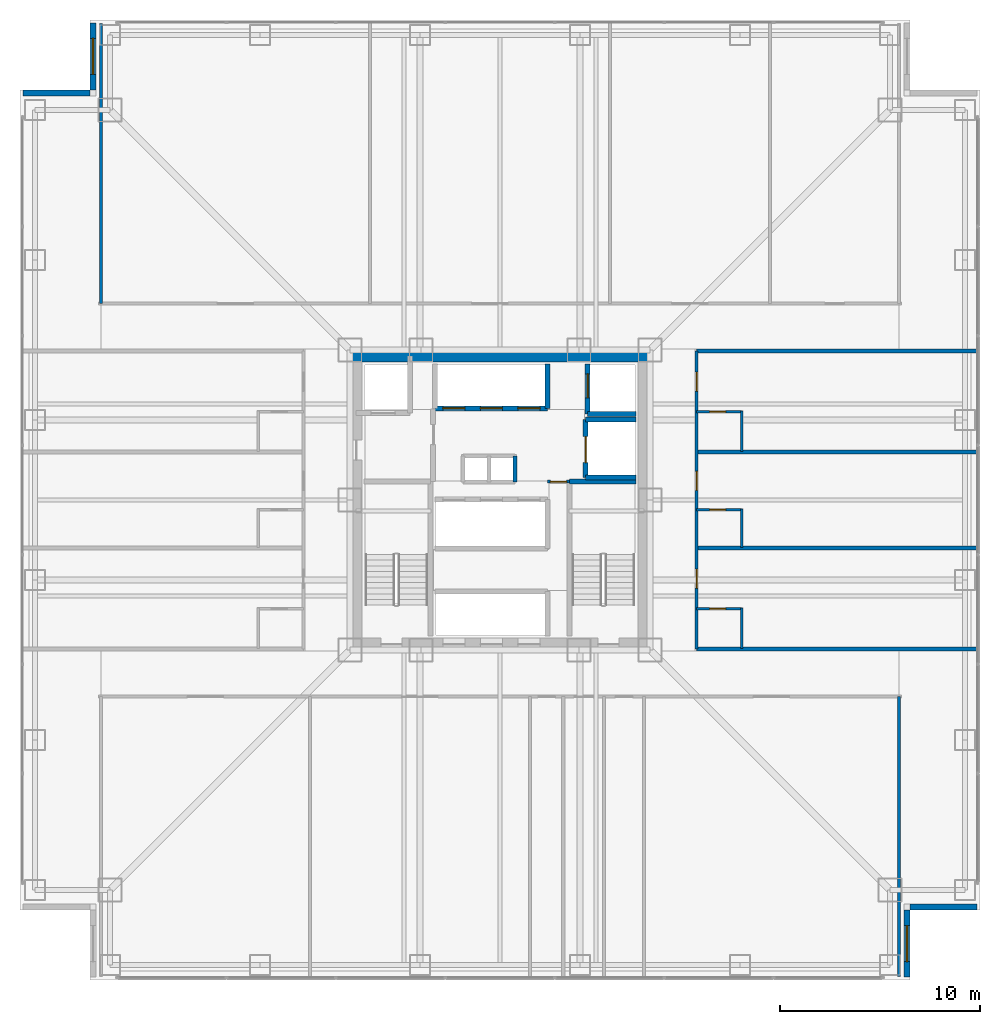
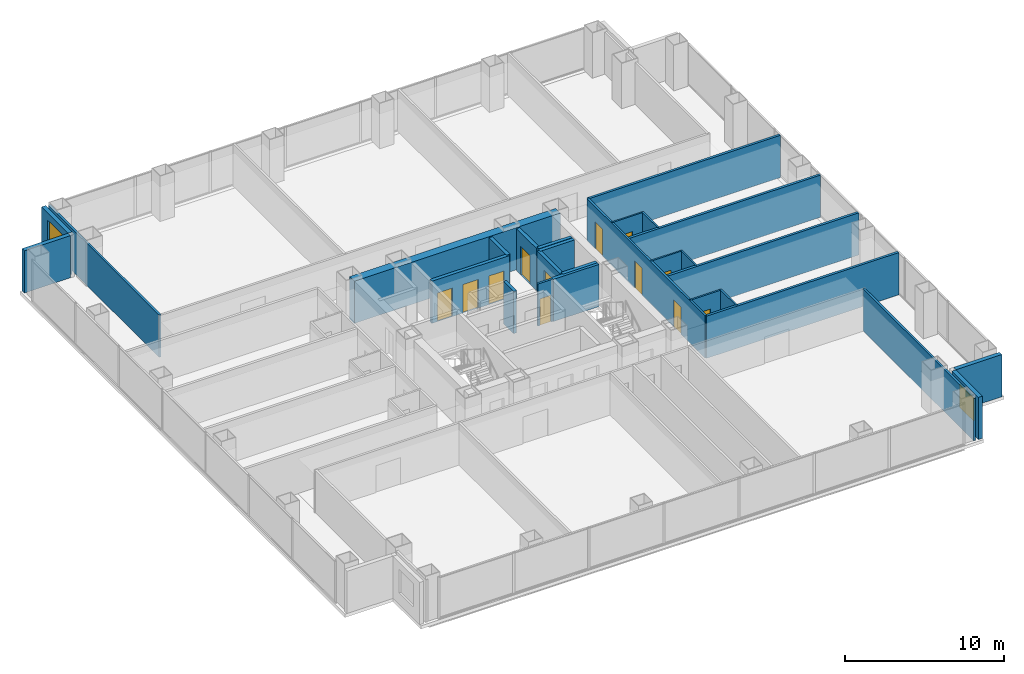
# One storey, part 12 of 16: 28 walls, 12 doors, 2 windows, 14 openings.
"""IFC4 building model written with IfcOpenShell, lengths in metres."""

from ifc_helpers import new_model, si_unit, direction, frame, frame_2d, origin, place, context, subcontext, project, spatial, rectangle, extrude, material, layer, layer_set, type_object, element, fill, save


model = new_model("IFC4")

# Units and contexts
model_context = context("Model", 3, precision=1e-05, world=origin(), true_north=direction((0.0, 1.0)))
body_context = subcontext(model_context, "Body", "Model", "MODEL_VIEW")
ifc_project = project(units=[si_unit("LENGTHUNIT", "METRE"), si_unit("AREAUNIT", "SQUARE_METRE"), si_unit("VOLUMEUNIT", "CUBIC_METRE"), si_unit("PLANEANGLEUNIT", "RADIAN"), si_unit("MASSUNIT", "GRAM", prefix="KILO")], contexts=[model_context])

# Site, building, storey
site_placement = place(None, origin())
site = spatial("IfcSite", under=ifc_project, at=site_placement, CompositionType="ELEMENT")
building_placement = place(site_placement, origin())
building = spatial("IfcBuilding", under=site, at=building_placement, Name="Trevonay Congress Spire", CompositionType="ELEMENT")
storey_placement = place(building_placement, frame((0.0, 0.0, 51.5)))
storey = spatial("IfcBuildingStorey", under=building, at=storey_placement, Name="L12", CompositionType="ELEMENT", Elevation=51.5)

# Wall, opening, door
ifc_material_1 = material(Name="Concrete C40/50", Category="concrete")
ifc_layer_1 = layer(ifc_material_1, 0.1201171875, Name="Concrete C40/50")
ifc_layer_set_1 = layer_set([ifc_layer_1], Name="Concrete C40/50")
wall_type_1 = type_object("IfcWallType", Name="WAL-BATH-120", PredefinedType="PLUMBINGWALL", material=ifc_layer_set_1)
wall_1_placement = place(storey_placement, frame((9.830078125, -5.44189453125, 0.0), z_axis=(0.0, 0.0, 1.0), x_axis=(1.0, 0.0, 0.0)))
wall_1 = element("IfcWall", 1, at=wall_1_placement, inside=storey, type_object=wall_type_1, Name="L12 interior wall WH-L12E-BS1", PredefinedType="PLUMBINGWALL", context=body_context, shape_type="SweptSolid", body=[
    extrude(rectangle(XDim=2.25, YDim=0.1201171875, at=frame_2d((1.125, 0.0))), origin(), (0.0, 0.0, 1.0), 3.25),
])
opening_1_placement = place(wall_1_placement, frame((0.64990234375, 0.0, 0.0)))
opening_1 = element("IfcOpeningElement", 2, at=opening_1_placement, cuts=wall_1, Name="Opening D11", PredefinedType="OPENING", context=body_context, shape_type="SweptSolid", body=[
    extrude(rectangle(XDim=0.800048828125, YDim=2.050048828125, at=frame_2d((0.39990234375, 1.02490234375))), frame((0.0, 0.070068359375, 0.0), z_axis=(0.0, -1.0, 0.0), x_axis=(1.0, 0.0, 0.0)), (0.0, 0.0, 1.0), 0.14013671875),
])
ifc_material_2 = material(Name="Pale Anodised Aluminium EN AW-6063-T6", Category="aluminium")
door_type_1 = type_object("IfcDoorType", Name="DOR-BATH-80", OperationType="NOTDEFINED", PredefinedType="DOOR", material=ifc_material_2)
door_1_placement = place(opening_1_placement, origin())
door_1 = element("IfcDoor", 3, at=door_1_placement, inside=storey, type_object=door_type_1, Name="L12 En-suite Bathroom Door", OperationType="SINGLE_SWING_RIGHT", OverallHeight=2.050048828125, OverallWidth=0.800048828125, PredefinedType="DOOR", context=body_context, shape_type="SweptSolid", body=[
    extrude(rectangle(XDim=0.800048828125, YDim=2.050048828125, at=frame_2d((0.39990234375, 1.02490234375))), frame((0.0, 0.02490234375, 0.0), z_axis=(0.0, -1.0, 0.0), x_axis=(1.0, 0.0, 0.0)), (0.0, 0.0, 1.0), 0.050048828125),
])
fill(opening_1, door_1)

# Wall
wall_2_placement = place(storey_placement, frame((12.080078125, -7.419921875, 0.0), z_axis=(0.0, 0.0, 1.0), x_axis=(0.0, 1.0, 0.0)))
element("IfcWall", 4, at=wall_2_placement, inside=storey, type_object=wall_type_1, Name="L12 interior wall WH-L12E-BF1", PredefinedType="PLUMBINGWALL", context=body_context, shape_type="SweptSolid", body=[
    extrude(rectangle(XDim=2.0078125, YDim=0.1201171875, at=frame_2d((1.00390625, 0.0))), origin(), (0.0, 0.0, 1.0), 3.25),
])

# Wall, opening, door
wall_3_placement = place(storey_placement, frame((9.830078125, -0.487060546875, 0.0), z_axis=(0.0, 0.0, 1.0), x_axis=(1.0, 0.0, 0.0)))
wall_3 = element("IfcWall", 5, at=wall_3_placement, inside=storey, type_object=wall_type_1, Name="L12 interior wall WH-L12E-BS2", PredefinedType="PLUMBINGWALL", context=body_context, shape_type="SweptSolid", body=[
    extrude(rectangle(XDim=2.25, YDim=0.1201171875, at=frame_2d((1.125, 0.0))), origin(), (0.0, 0.0, 1.0), 3.25),
])
opening_2_placement = place(wall_3_placement, frame((0.64990234375, 0.0, 0.0)))
opening_2 = element("IfcOpeningElement", 6, at=opening_2_placement, cuts=wall_3, Name="Opening D11", PredefinedType="OPENING", context=body_context, shape_type="SweptSolid", body=[
    extrude(rectangle(XDim=0.800048828125, YDim=2.050048828125, at=frame_2d((0.39990234375, 1.02490234375))), frame((0.0, 0.070068359375, 0.0), z_axis=(0.0, -1.0, 0.0), x_axis=(1.0, 0.0, 0.0)), (0.0, 0.0, 1.0), 0.14013671875),
])
door_2_placement = place(opening_2_placement, origin())
door_2 = element("IfcDoor", 7, at=door_2_placement, inside=storey, type_object=door_type_1, Name="L12 En-suite Bathroom Door", OperationType="SINGLE_SWING_LEFT", OverallHeight=2.050048828125, OverallWidth=0.800048828125, PredefinedType="DOOR", context=body_context, shape_type="SweptSolid", body=[
    extrude(rectangle(XDim=0.800048828125, YDim=2.050048828125, at=frame_2d((0.39990234375, 1.02490234375))), frame((0.0, 0.02490234375, 0.0), z_axis=(0.0, -1.0, 0.0), x_axis=(1.0, 0.0, 0.0)), (0.0, 0.0, 1.0), 0.050048828125),
])
fill(opening_2, door_2)

# Wall
wall_4_placement = place(storey_placement, frame((12.080078125, -2.3701171875, 0.0), z_axis=(0.0, 0.0, 1.0), x_axis=(0.0, 1.0, 0.0)))
element("IfcWall", 8, at=wall_4_placement, inside=storey, type_object=wall_type_1, Name="L12 interior wall WH-L12E-BF2", PredefinedType="PLUMBINGWALL", context=body_context, shape_type="SweptSolid", body=[
    extrude(rectangle(XDim=1.9130859375, YDim=0.1201171875, at=frame_2d((0.95654296875, 0.0))), origin(), (0.0, 0.0, 1.0), 3.25),
])

# Wall, opening, door
wall_5_placement = place(storey_placement, frame((9.830078125, 4.407958984375, 0.0), z_axis=(0.0, 0.0, 1.0), x_axis=(1.0, 0.0, 0.0)))
wall_5 = element("IfcWall", 9, at=wall_5_placement, inside=storey, type_object=wall_type_1, Name="L12 interior wall WH-L12E-BS3", PredefinedType="PLUMBINGWALL", context=body_context, shape_type="SweptSolid", body=[
    extrude(rectangle(XDim=2.25, YDim=0.1201171875, at=frame_2d((1.125, 0.0))), origin(), (0.0, 0.0, 1.0), 3.25),
])
opening_3_placement = place(wall_5_placement, frame((0.64990234375, 0.0, 0.0)))
opening_3 = element("IfcOpeningElement", 10, at=opening_3_placement, cuts=wall_5, Name="Opening D11", PredefinedType="OPENING", context=body_context, shape_type="SweptSolid", body=[
    extrude(rectangle(XDim=0.800048828125, YDim=2.050048828125, at=frame_2d((0.39990234375, 1.02490234375))), frame((0.0, 0.070068359375, 0.0), z_axis=(0.0, -1.0, 0.0), x_axis=(1.0, 0.0, 0.0)), (0.0, 0.0, 1.0), 0.14013671875),
])
door_3_placement = place(opening_3_placement, origin())
door_3 = element("IfcDoor", 11, at=door_3_placement, inside=storey, type_object=door_type_1, Name="L12 En-suite Bathroom Door", OperationType="SINGLE_SWING_RIGHT", OverallHeight=2.050048828125, OverallWidth=0.800048828125, PredefinedType="DOOR", context=body_context, shape_type="SweptSolid", body=[
    extrude(rectangle(XDim=0.800048828125, YDim=2.050048828125, at=frame_2d((0.39990234375, 1.02490234375))), frame((0.0, 0.02490234375, 0.0), z_axis=(0.0, -1.0, 0.0), x_axis=(1.0, 0.0, 0.0)), (0.0, 0.0, 1.0), 0.050048828125),
])
fill(opening_3, door_3)

# Walls
wall_6_placement = place(storey_placement, frame((12.080078125, 2.429931640625, 0.0), z_axis=(0.0, 0.0, 1.0), x_axis=(0.0, 1.0, 0.0)))
element("IfcWall", 12, at=wall_6_placement, inside=storey, type_object=wall_type_1, Name="L12 interior wall WH-L12E-BF3", PredefinedType="PLUMBINGWALL", context=body_context, shape_type="SweptSolid", body=[
    extrude(rectangle(XDim=2.008056640625, YDim=0.1201171875, at=frame_2d((1.00390625, 0.0))), origin(), (0.0, 0.0, 1.0), 3.25),
])
ifc_material_3 = material(Name="Concrete C60/75", Category="concrete")
ifc_layer_2 = layer(ifc_material_3, 0.60009765625, Name="Concrete C60/75")
ifc_layer_set_2 = layer_set([ifc_layer_2], Name="Concrete C60/75")
wall_type_2 = type_object("IfcWallType", Name="WAL-CORE-600", PredefinedType="SHEAR", material=ifc_layer_set_2)
wall_7_placement = place(storey_placement, frame((-7.5, 7.199951171875, 0.0), z_axis=(0.0, 0.0, 1.0), x_axis=(1.0, 0.0, 0.0)))
element("IfcWall", 13, at=wall_7_placement, inside=storey, type_object=wall_type_2, Name="L12 North structural core shear wall", PredefinedType="SHEAR", context=body_context, shape_type="SweptSolid", body=[
    extrude(rectangle(XDim=15.0, YDim=0.60009765625, at=frame_2d((7.5, 0.0))), origin(), (0.0, 0.0, 1.0), 3.25),
])

# Wall, openings, doors
ifc_layer_3 = layer(ifc_material_1, 0.14990234375, Name="Concrete C40/50")
ifc_layer_set_3 = layer_set([ifc_layer_3], Name="Concrete C40/50")
wall_type_3 = type_object("IfcWallType", Name="WAL-CORR-150", PredefinedType="PARTITIONING", material=ifc_layer_set_3)
wall_8_placement = place(storey_placement, frame((9.830078125, -7.449951171875, 0.0), z_axis=(0.0, 0.0, 1.0), x_axis=(0.0, 1.0, 0.0)))
wall_8 = element("IfcWall", 14, at=wall_8_placement, inside=storey, type_object=wall_type_3, Name="L12 interior wall WH-L12E-COR", PredefinedType="PARTITIONING", context=body_context, shape_type="SweptSolid", body=[
    extrude(rectangle(XDim=14.89990234375, YDim=0.14990234375, at=frame_2d((7.449951171875, 0.0))), origin(), (0.0, 0.0, 1.0), 3.25),
])
opening_4_placement = place(wall_8_placement, frame((3.049072265625, 0.0, 0.0)))
opening_4 = element("IfcOpeningElement", 15, at=opening_4_placement, cuts=wall_8, Name="Opening D08", PredefinedType="OPENING", context=body_context, shape_type="SweptSolid", body=[
    extrude(rectangle(XDim=0.949951171875, YDim=2.080078125, at=frame_2d((0.47509765625, 1.0400390625))), frame((0.0, 0.0849609375, 0.0), z_axis=(0.0, -1.0, 0.0), x_axis=(1.0, 0.0, 0.0)), (0.0, 0.0, 1.0), 0.169921875),
])
opening_5_placement = place(wall_8_placement, frame((7.926513671875, 0.0, 0.0)))
opening_5 = element("IfcOpeningElement", 16, at=opening_5_placement, cuts=wall_8, Name="Opening D08", PredefinedType="OPENING", context=body_context, shape_type="SweptSolid", body=[
    extrude(rectangle(XDim=0.949951171875, YDim=2.080078125, at=frame_2d((0.47509765625, 1.0400390625))), frame((0.0, 0.0849609375, 0.0), z_axis=(0.0, -1.0, 0.0), x_axis=(1.0, 0.0, 0.0)), (0.0, 0.0, 1.0), 0.169921875),
])
opening_6_placement = place(wall_8_placement, frame((12.89892578125, 0.0, 0.0)))
opening_6 = element("IfcOpeningElement", 17, at=opening_6_placement, cuts=wall_8, Name="Opening D08", PredefinedType="OPENING", context=body_context, shape_type="SweptSolid", body=[
    extrude(rectangle(XDim=0.949951171875, YDim=2.080078125, at=frame_2d((0.47509765625, 1.0400390625))), frame((0.0, 0.0849609375, 0.0), z_axis=(0.0, -1.0, 0.0), x_axis=(1.0, 0.0, 0.0)), (0.0, 0.0, 1.0), 0.169921875),
])
door_type_2 = type_object("IfcDoorType", Name="DOR-SUITE-95", OperationType="NOTDEFINED", PredefinedType="DOOR", material=ifc_material_2)
door_4_placement = place(opening_4_placement, origin())
door_4 = element("IfcDoor", 18, at=door_4_placement, inside=storey, type_object=door_type_2, Name="L12 Corner Hotel Suite Entrance Door", OperationType="SINGLE_SWING_LEFT", OverallHeight=2.080078125, OverallWidth=0.949951171875, PredefinedType="DOOR", context=body_context, shape_type="SweptSolid", body=[
    extrude(rectangle(XDim=0.949951171875, YDim=2.080078125, at=frame_2d((0.47509765625, 1.0400390625))), frame((0.0, 0.02490234375, 0.0), z_axis=(0.0, -1.0, 0.0), x_axis=(1.0, 0.0, 0.0)), (0.0, 0.0, 1.0), 0.050048828125),
])
fill(opening_4, door_4)
door_5_placement = place(opening_5_placement, origin())
door_5 = element("IfcDoor", 19, at=door_5_placement, inside=storey, type_object=door_type_2, Name="L12 Corner Hotel Suite Entrance Door", OperationType="SINGLE_SWING_RIGHT", OverallHeight=2.080078125, OverallWidth=0.949951171875, PredefinedType="DOOR", context=body_context, shape_type="SweptSolid", body=[
    extrude(rectangle(XDim=0.949951171875, YDim=2.080078125, at=frame_2d((0.47509765625, 1.0400390625))), frame((0.0, 0.02490234375, 0.0), z_axis=(0.0, -1.0, 0.0), x_axis=(1.0, 0.0, 0.0)), (0.0, 0.0, 1.0), 0.050048828125),
])
fill(opening_5, door_5)
door_6_placement = place(opening_6_placement, origin())
door_6 = element("IfcDoor", 20, at=door_6_placement, inside=storey, type_object=door_type_2, Name="L12 Corner Hotel Suite Entrance Door", OperationType="SINGLE_SWING_LEFT", OverallHeight=2.080078125, OverallWidth=0.949951171875, PredefinedType="DOOR", context=body_context, shape_type="SweptSolid", body=[
    extrude(rectangle(XDim=0.949951171875, YDim=2.080078125, at=frame_2d((0.47509765625, 1.0400390625))), frame((0.0, 0.02490234375, 0.0), z_axis=(0.0, -1.0, 0.0), x_axis=(1.0, 0.0, 0.0)), (0.0, 0.0, 1.0), 0.050048828125),
])
fill(opening_6, door_6)

# Wall, opening, window
ifc_material_4 = material(Name="Precast concrete C40/50", Category="concrete")
ifc_layer_4 = layer(ifc_material_4, 0.300048828125, Name="Precast concrete C40/50")
ifc_layer_set_4 = layer_set([ifc_layer_4], Name="Precast concrete C40/50")
wall_type_4 = type_object("IfcWallType", Name="WAL-EXT-PRECAST-300", PredefinedType="SOLIDWALL", material=ifc_layer_set_4)
wall_9_placement = place(storey_placement, frame((20.35009765625, -23.85009765625, 0.0), z_axis=(0.0, 0.0, 1.0), x_axis=(0.0, 1.0, 0.0)))
wall_9 = element("IfcWall", 21, at=wall_9_placement, inside=storey, type_object=wall_type_4, Name="L12 SE re-entrant notch exterior wall 1", PredefinedType="SOLIDWALL", context=body_context, shape_type="SweptSolid", body=[
    extrude(rectangle(XDim=3.35009765625, YDim=0.300048828125, at=frame_2d((1.675048828125, 0.0))), origin(), (0.0, 0.0, 1.0), 3.25),
])
opening_7_placement = place(wall_9_placement, frame((0.77490234375, 0.0, 0.89990234375)))
opening_7 = element("IfcOpeningElement", 22, at=opening_7_placement, cuts=wall_9, Name="Opening WN01", PredefinedType="OPENING", context=body_context, shape_type="SweptSolid", body=[
    extrude(rectangle(XDim=1.800048828125, YDim=1.800048828125, at=frame_2d((0.89990234375, 0.89990234375))), frame((0.0, 0.16015625, 0.0), z_axis=(0.0, -1.0, 0.0), x_axis=(1.0, 0.0, 0.0)), (0.0, 0.0, 1.0), 0.320068359375),
])
ifc_material_5 = material(Name="Insulated Low-E Vision Glass IGU", Category="glass")
window_type = type_object("IfcWindowType", Name="WIN-HOTEL-180X180", PartitioningType="SINGLE_PANEL", PredefinedType="WINDOW", material=ifc_material_5)
window_1_placement = place(opening_7_placement, origin())
window_1 = element("IfcWindow", 23, at=window_1_placement, inside=storey, type_object=window_type, Name="L12 SE corner notch window", OverallHeight=1.800048828125, OverallWidth=1.800048828125, PartitioningType="SINGLE_PANEL", PredefinedType="WINDOW", context=body_context, shape_type="SweptSolid", body=[
    extrude(rectangle(XDim=1.800048828125, YDim=1.800048828125, at=frame_2d((0.89990234375, 0.89990234375))), frame((0.0, 0.030029296875, 0.0), z_axis=(0.0, -1.0, 0.0), x_axis=(1.0, 0.0, 0.0)), (0.0, 0.0, 1.0), 0.06005859375),
])
fill(opening_7, window_1)

# Wall
wall_10_placement = place(storey_placement, frame((23.85009765625, -20.35009765625, 0.0), z_axis=(0.0, 0.0, 1.0), x_axis=(-1.0, 0.0, 0.0)))
element("IfcWall", 24, at=wall_10_placement, inside=storey, type_object=wall_type_4, Name="L12 SE re-entrant notch exterior wall 2", PredefinedType="SOLIDWALL", context=body_context, shape_type="SweptSolid", body=[
    extrude(rectangle(XDim=3.35009765625, YDim=0.300048828125, at=frame_2d((1.675048828125, 0.0))), origin(), (0.0, 0.0, 1.0), 3.25),
])

# Wall, opening, window
wall_11_placement = place(storey_placement, frame((-20.35009765625, 23.85009765625, 0.0), z_axis=(0.0, 0.0, 1.0), x_axis=(0.0, -1.0, 0.0)))
wall_11 = element("IfcWall", 25, at=wall_11_placement, inside=storey, type_object=wall_type_4, Name="L12 NW re-entrant notch exterior wall 1", PredefinedType="SOLIDWALL", context=body_context, shape_type="SweptSolid", body=[
    extrude(rectangle(XDim=3.35009765625, YDim=0.300048828125, at=frame_2d((1.675048828125, 0.0))), origin(), (0.0, 0.0, 1.0), 3.25),
])
opening_8_placement = place(wall_11_placement, frame((0.77490234375, 0.0, 0.89990234375)))
opening_8 = element("IfcOpeningElement", 26, at=opening_8_placement, cuts=wall_11, Name="Opening WN01", PredefinedType="OPENING", context=body_context, shape_type="SweptSolid", body=[
    extrude(rectangle(XDim=1.800048828125, YDim=1.800048828125, at=frame_2d((0.89990234375, 0.89990234375))), frame((0.0, 0.16015625, 0.0), z_axis=(0.0, -1.0, 0.0), x_axis=(1.0, 0.0, 0.0)), (0.0, 0.0, 1.0), 0.320068359375),
])
window_2_placement = place(opening_8_placement, origin())
window_2 = element("IfcWindow", 27, at=window_2_placement, inside=storey, type_object=window_type, Name="L12 NW corner notch window", OverallHeight=1.800048828125, OverallWidth=1.800048828125, PartitioningType="SINGLE_PANEL", PredefinedType="WINDOW", context=body_context, shape_type="SweptSolid", body=[
    extrude(rectangle(XDim=1.800048828125, YDim=1.800048828125, at=frame_2d((0.89990234375, 0.89990234375))), frame((0.0, 0.030029296875, 0.0), z_axis=(0.0, -1.0, 0.0), x_axis=(1.0, 0.0, 0.0)), (0.0, 0.0, 1.0), 0.06005859375),
])
fill(opening_8, window_2)

# Walls
wall_12_placement = place(storey_placement, frame((-23.85009765625, 20.35009765625, 0.0), z_axis=(0.0, 0.0, 1.0), x_axis=(1.0, 0.0, 0.0)))
element("IfcWall", 28, at=wall_12_placement, inside=storey, type_object=wall_type_4, Name="L12 NW re-entrant notch exterior wall 2", PredefinedType="SOLIDWALL", context=body_context, shape_type="SweptSolid", body=[
    extrude(rectangle(XDim=3.35009765625, YDim=0.300048828125, at=frame_2d((1.675048828125, 0.0))), origin(), (0.0, 0.0, 1.0), 3.25),
])
ifc_layer_5 = layer(ifc_material_1, 0.179931640625, Name="Concrete C40/50")
ifc_layer_set_5 = layer_set([ifc_layer_5], Name="Concrete C40/50")
wall_type_5 = type_object("IfcWallType", Name="WAL-HOTEL-180", PredefinedType="PARTITIONING", material=ifc_layer_set_5)
for number, where, z_axis, x_axis, name in (
    (29, (9.830078125, -7.449951171875, 0.0), (0.0, 0.0, 1.0), (1.0, 0.0, 0.0), "L12 interior wall WH-L12E-DIV1"),
    (30, (9.830078125, -2.39990234375, 0.0), (0.0, 0.0, 1.0), (1.0, 0.0, 0.0), "L12 interior wall WH-L12E-DIV2"),
    (31, (9.830078125, 2.39990234375, 0.0), (0.0, 0.0, 1.0), (1.0, 0.0, 0.0), "L12 interior wall WH-L12E-DIV3"),
    (32, (9.830078125, 7.449951171875, 0.0), (0.0, 0.0, 1.0), (1.0, 0.0, 0.0), "L12 interior wall WH-L12E-DIV4"),
):
    element("IfcWall", number, at=place(storey_placement, frame(where, z_axis=z_axis, x_axis=x_axis)), inside=storey, type_object=wall_type_5, Name=name, PredefinedType="PARTITIONING", context=body_context, shape_type="SweptSolid", body=[
        extrude(rectangle(XDim=13.989990234375, YDim=0.179931640625, at=frame_2d((6.9951171875, 0.0))), origin(), (0.0, 0.0, 1.0), 3.25),
    ])

# Wall, opening, door
ifc_layer_6 = layer(ifc_material_1, 0.14990234375, Name="Concrete C40/50")
ifc_layer_set_6 = layer_set([ifc_layer_6], Name="Concrete C40/50")
wall_type_6 = type_object("IfcWallType", Name="WAL-PART-150", PredefinedType="PARTITIONING", material=ifc_layer_set_6)
wall_13_placement = place(storey_placement, frame((2.3798828125, 0.919921875, 0.0), z_axis=(0.0, 0.0, 1.0), x_axis=(1.0, 0.0, 0.0)))
wall_13 = element("IfcWall", 33, at=wall_13_placement, inside=storey, type_object=wall_type_6, Name="L12 interior wall CW-CSRV-N-L12", PredefinedType="PARTITIONING", context=body_context, shape_type="SweptSolid", body=[
    extrude(rectangle(XDim=1.090087890625, YDim=0.14990234375, at=frame_2d((0.544921875, 0.0))), origin(), (0.0, 0.0, 1.0), 3.25),
])
opening_9_placement = place(wall_13_placement, frame((0.135009765625, 0.0, 0.0)))
opening_9 = element("IfcOpeningElement", 34, at=opening_9_placement, cuts=wall_13, Name="Opening D13", PredefinedType="OPENING", context=body_context, shape_type="SweptSolid", body=[
    extrude(rectangle(XDim=0.820068359375, YDim=2.050048828125, at=frame_2d((0.41015625, 1.02490234375))), frame((0.0, 0.0849609375, 0.0), z_axis=(0.0, -1.0, 0.0), x_axis=(1.0, 0.0, 0.0)), (0.0, 0.0, 1.0), 0.169921875),
])
ifc_material_6 = material(Name="Steel ASTM A572 Grade 50", Category="steel")
door_type_3 = type_object("IfcDoorType", Name="DOR-UTIL-80", OperationType="NOTDEFINED", PredefinedType="DOOR", material=ifc_material_6)
door_7_placement = place(opening_9_placement, origin())
door_7 = element("IfcDoor", 35, at=door_7_placement, inside=storey, type_object=door_type_3, Name="L12 Core Service Pocket Door", OperationType="SINGLE_SWING_LEFT", OverallHeight=2.050048828125, OverallWidth=0.820068359375, PredefinedType="DOOR", context=body_context, shape_type="SweptSolid", body=[
    extrude(rectangle(XDim=0.820068359375, YDim=2.050048828125, at=frame_2d((0.41015625, 1.02490234375))), frame((0.0, 0.02490234375, 0.0), z_axis=(0.0, -1.0, 0.0), x_axis=(1.0, 0.0, 0.0)), (0.0, 0.0, 1.0), 0.050048828125),
])
fill(opening_9, door_7)

# Walls
for number, where, z_axis, x_axis, name in (
    (36, (19.949951171875, -23.820068359375, 0.0), (0.0, 0.0, 1.0), (0.0, 1.0, 0.0), "L12 interior wall WP-L12S-DIV6"),
    (37, (-19.949951171875, 9.830078125, 0.0), (0.0, 0.0, 1.0), (0.0, 1.0, 0.0), "L12 interior wall WP-L12N-DIV1"),
):
    element("IfcWall", number, at=place(storey_placement, frame(where, z_axis=z_axis, x_axis=x_axis)), inside=storey, type_object=wall_type_6, Name=name, PredefinedType="PARTITIONING", context=body_context, shape_type="SweptSolid", body=[
        extrude(rectangle(XDim=13.989990234375, YDim=0.14990234375, at=frame_2d((6.9951171875, 0.0))), origin(), (0.0, 0.0, 1.0), 3.25),
    ])
ifc_layer_7 = layer(ifc_material_1, 0.219970703125, Name="Concrete C40/50")
ifc_layer_set_7 = layer_set([ifc_layer_7], Name="Concrete C40/50")
wall_type_7 = type_object("IfcWallType", Name="WAL-SHAFT-220", PredefinedType="PARTITIONING", material=ifc_layer_set_7)
wall_14_placement = place(storey_placement, frame((0.75, 0.89990234375, 0.0), z_axis=(0.0, 0.0, 1.0), x_axis=(0.0, 1.0, 0.0)))
element("IfcWall", 38, at=wall_14_placement, inside=storey, type_object=wall_type_7, Name="L12 interior shaft wall WSH-L12-RSR-E", PredefinedType="PARTITIONING", context=body_context, shape_type="SweptSolid", body=[
    extrude(rectangle(XDim=1.300048828125, YDim=0.219970703125, at=frame_2d((0.64990234375, 0.0))), origin(), (0.0, 0.0, 1.0), 3.25),
])

# Wall, openings, doors
ifc_layer_8 = layer(ifc_material_1, 0.25, Name="Concrete C40/50")
ifc_layer_set_8 = layer_set([ifc_layer_8], Name="Concrete C40/50")
wall_type_8 = type_object("IfcWallType", Name="WAL-SHAFT-250", PredefinedType="SHEAR", material=ifc_layer_set_8)
wall_15_placement = place(storey_placement, frame((-3.260009765625, 4.580078125, 0.0), z_axis=(0.0, 0.0, 1.0), x_axis=(1.0, 0.0, 0.0)))
wall_15 = element("IfcWall", 39, at=wall_15_placement, inside=storey, type_object=wall_type_8, Name="L12 interior shaft wall WSH-L12-B3-S", PredefinedType="SHEAR", context=body_context, shape_type="SweptSolid", body=[
    extrude(rectangle(XDim=5.639892578125, YDim=0.25, at=frame_2d((2.81982421875, 0.0))), origin(), (0.0, 0.0, 1.0), 3.25),
])
opening_10_placement = place(wall_15_placement, frame((0.39990234375, 0.0, 0.0)))
opening_10 = element("IfcOpeningElement", 40, at=opening_10_placement, cuts=wall_15, Name="Opening LD03", PredefinedType="OPENING", context=body_context, shape_type="SweptSolid", body=[
    extrude(rectangle(XDim=1.10009765625, YDim=2.199951171875, at=frame_2d((0.550048828125, 1.10009765625))), frame((0.0, 0.135009765625, 0.0), z_axis=(0.0, -1.0, 0.0), x_axis=(1.0, 0.0, 0.0)), (0.0, 0.0, 1.0), 0.27001953125),
])
opening_11_placement = place(wall_15_placement, frame((2.280029296875, 0.0, 0.0)))
opening_11 = element("IfcOpeningElement", 41, at=opening_11_placement, cuts=wall_15, Name="Opening LD03", PredefinedType="OPENING", context=body_context, shape_type="SweptSolid", body=[
    extrude(rectangle(XDim=1.10009765625, YDim=2.199951171875, at=frame_2d((0.550048828125, 1.10009765625))), frame((0.0, 0.135009765625, 0.0), z_axis=(0.0, -1.0, 0.0), x_axis=(1.0, 0.0, 0.0)), (0.0, 0.0, 1.0), 0.27001953125),
])
opening_12_placement = place(wall_15_placement, frame((4.159912109375, 0.0, 0.0)))
opening_12 = element("IfcOpeningElement", 42, at=opening_12_placement, cuts=wall_15, Name="Opening LD03", PredefinedType="OPENING", context=body_context, shape_type="SweptSolid", body=[
    extrude(rectangle(XDim=1.10009765625, YDim=2.199951171875, at=frame_2d((0.550048828125, 1.10009765625))), frame((0.0, 0.135009765625, 0.0), z_axis=(0.0, -1.0, 0.0), x_axis=(1.0, 0.0, 0.0)), (0.0, 0.0, 1.0), 0.27001953125),
])
door_type_4 = type_object("IfcDoorType", Name="DOR-LIFT-LD03", OperationType="DOUBLE_DOOR_SLIDING", PredefinedType="DOOR", material=ifc_material_2)
door_8_placement = place(opening_10_placement, origin())
door_8 = element("IfcDoor", 43, at=door_8_placement, inside=storey, type_object=door_type_4, Name="L12 Passenger lift PL-07 landing door", OperationType="DOUBLE_DOOR_SLIDING", OverallHeight=2.199951171875, OverallWidth=1.10009765625, PredefinedType="DOOR", context=body_context, shape_type="SweptSolid", body=[
    extrude(rectangle(XDim=1.10009765625, YDim=2.199951171875, at=frame_2d((0.550048828125, 1.10009765625))), frame((0.0, 0.02490234375, 0.0), z_axis=(0.0, -1.0, 0.0), x_axis=(1.0, 0.0, 0.0)), (0.0, 0.0, 1.0), 0.050048828125),
])
fill(opening_10, door_8)
door_9_placement = place(opening_11_placement, origin())
door_9 = element("IfcDoor", 44, at=door_9_placement, inside=storey, type_object=door_type_4, Name="L12 Passenger lift PL-08 landing door", OperationType="DOUBLE_DOOR_SLIDING", OverallHeight=2.199951171875, OverallWidth=1.10009765625, PredefinedType="DOOR", context=body_context, shape_type="SweptSolid", body=[
    extrude(rectangle(XDim=1.10009765625, YDim=2.199951171875, at=frame_2d((0.550048828125, 1.10009765625))), frame((0.0, 0.02490234375, 0.0), z_axis=(0.0, -1.0, 0.0), x_axis=(1.0, 0.0, 0.0)), (0.0, 0.0, 1.0), 0.050048828125),
])
fill(opening_11, door_9)
door_10_placement = place(opening_12_placement, origin())
door_10 = element("IfcDoor", 45, at=door_10_placement, inside=storey, type_object=door_type_4, Name="L12 Passenger lift PL-09 landing door", OperationType="DOUBLE_DOOR_SLIDING", OverallHeight=2.199951171875, OverallWidth=1.10009765625, PredefinedType="DOOR", context=body_context, shape_type="SweptSolid", body=[
    extrude(rectangle(XDim=1.10009765625, YDim=2.199951171875, at=frame_2d((0.550048828125, 1.10009765625))), frame((0.0, 0.02490234375, 0.0), z_axis=(0.0, -1.0, 0.0), x_axis=(1.0, 0.0, 0.0)), (0.0, 0.0, 1.0), 0.050048828125),
])
fill(opening_12, door_10)

# Walls
wall_16_placement = place(storey_placement, frame((2.3798828125, 4.580078125, 0.0), z_axis=(0.0, 0.0, 1.0), x_axis=(0.0, 1.0, 0.0)))
element("IfcWall", 46, at=wall_16_placement, inside=storey, type_object=wall_type_8, Name="L12 interior shaft wall WSH-L12-B3-E", PredefinedType="SHEAR", context=body_context, shape_type="SweptSolid", body=[
    extrude(rectangle(XDim=2.219970703125, YDim=0.25, at=frame_2d((1.10986328125, 0.0))), origin(), (0.0, 0.0, 1.0), 3.25),
])
wall_17_placement = place(storey_placement, frame((4.3798828125, 4.300048828125, 0.0), z_axis=(0.0, 0.0, 1.0), x_axis=(1.0, 0.0, 0.0)))
element("IfcWall", 47, at=wall_17_placement, inside=storey, type_object=wall_type_8, Name="L12 interior shaft wall WSH-L12-FF2-S", PredefinedType="SHEAR", context=body_context, shape_type="SweptSolid", body=[
    extrude(rectangle(XDim=2.420166015625, YDim=0.25, at=frame_2d((1.2099609375, 0.0))), origin(), (0.0, 0.0, 1.0), 3.25),
])

# Wall, opening, door
wall_18_placement = place(storey_placement, frame((4.3798828125, 4.300048828125, 0.0), z_axis=(0.0, 0.0, 1.0), x_axis=(0.0, 1.0, 0.0)))
wall_18 = element("IfcWall", 48, at=wall_18_placement, inside=storey, type_object=wall_type_8, Name="L12 interior shaft wall WSH-L12-FF2-W", PredefinedType="SHEAR", context=body_context, shape_type="SweptSolid", body=[
    extrude(rectangle(XDim=2.5, YDim=0.25, at=frame_2d((1.25, 0.0))), origin(), (0.0, 0.0, 1.0), 3.25),
])
opening_13_placement = place(wall_18_placement, frame((0.800048828125, 0.0, 0.0)))
opening_13 = element("IfcOpeningElement", 49, at=opening_13_placement, cuts=wall_18, Name="Opening LD04", PredefinedType="OPENING", context=body_context, shape_type="SweptSolid", body=[
    extrude(rectangle(XDim=1.199951171875, YDim=2.199951171875, at=frame_2d((0.60009765625, 1.10009765625))), frame((0.0, 0.135009765625, 0.0), z_axis=(0.0, -1.0, 0.0), x_axis=(1.0, 0.0, 0.0)), (0.0, 0.0, 1.0), 0.27001953125),
])
door_type_5 = type_object("IfcDoorType", Name="DOR-LIFT-LD04", OperationType="DOUBLE_DOOR_SLIDING", PredefinedType="DOOR", material=ifc_material_6)
door_11_placement = place(opening_13_placement, origin())
door_11 = element("IfcDoor", 50, at=door_11_placement, inside=storey, type_object=door_type_5, Name="L12 Firefighting lift FFL-02 landing door", OperationType="DOUBLE_DOOR_SLIDING", OverallHeight=2.199951171875, OverallWidth=1.199951171875, PredefinedType="DOOR", context=body_context, shape_type="SweptSolid", body=[
    extrude(rectangle(XDim=1.199951171875, YDim=2.199951171875, at=frame_2d((0.60009765625, 1.10009765625))), frame((0.0, 0.02490234375, 0.0), z_axis=(0.0, -1.0, 0.0), x_axis=(1.0, 0.0, 0.0)), (0.0, 0.0, 1.0), 0.050048828125),
])
fill(opening_13, door_11)

wall_19_placement = place(storey_placement, frame((4.280029296875, 1.1201171875, 0.0), z_axis=(0.0, 0.0, 1.0), x_axis=(0.0, 1.0, 0.0)))
wall_19 = element("IfcWall", 51, at=wall_19_placement, inside=storey, type_object=wall_type_8, Name="L12 interior shaft wall WSH-L12-SV-W", PredefinedType="SHEAR", context=body_context, shape_type="SweptSolid", body=[
    extrude(rectangle(XDim=2.89990234375, YDim=0.25, at=frame_2d((1.449951171875, 0.0))), origin(), (0.0, 0.0, 1.0), 3.25),
])
opening_14_placement = place(wall_19_placement, frame((0.75, 0.0, 0.0)))
opening_14 = element("IfcOpeningElement", 52, at=opening_14_placement, cuts=wall_19, Name="Opening LD05", PredefinedType="OPENING", context=body_context, shape_type="SweptSolid", body=[
    extrude(rectangle(XDim=1.300048828125, YDim=2.300048828125, at=frame_2d((0.64990234375, 1.14990234375))), frame((0.0, 0.135009765625, 0.0), z_axis=(0.0, -1.0, 0.0), x_axis=(1.0, 0.0, 0.0)), (0.0, 0.0, 1.0), 0.27001953125),
])
door_type_6 = type_object("IfcDoorType", Name="DOR-LIFT-LD05", OperationType="DOUBLE_DOOR_SLIDING", PredefinedType="DOOR", material=ifc_material_6)
door_12_placement = place(opening_14_placement, origin())
door_12 = element("IfcDoor", 53, at=door_12_placement, inside=storey, type_object=door_type_6, Name="L12 Goods lift SVL-01 landing door", OperationType="DOUBLE_DOOR_SLIDING", OverallHeight=2.300048828125, OverallWidth=1.300048828125, PredefinedType="DOOR", context=body_context, shape_type="SweptSolid", body=[
    extrude(rectangle(XDim=1.300048828125, YDim=2.300048828125, at=frame_2d((0.64990234375, 1.14990234375))), frame((0.0, 0.02490234375, 0.0), z_axis=(0.0, -1.0, 0.0), x_axis=(1.0, 0.0, 0.0)), (0.0, 0.0, 1.0), 0.050048828125),
])
fill(opening_14, door_12)

# Walls
for number, where, z_axis, x_axis, name in (
    (54, (4.280029296875, 1.1201171875, 0.0), (0.0, 0.0, 1.0), (1.0, 0.0, 0.0), "L12 interior shaft wall WSH-L12-SV-S"),
    (55, (4.280029296875, 4.02001953125, 0.0), (0.0, 0.0, 1.0), (1.0, 0.0, 0.0), "L12 interior shaft wall WSH-L12-SV-N"),
):
    element("IfcWall", number, at=place(storey_placement, frame(where, z_axis=z_axis, x_axis=x_axis)), inside=storey, type_object=wall_type_8, Name=name, PredefinedType="SHEAR", context=body_context, shape_type="SweptSolid", body=[
        extrude(rectangle(XDim=2.52001953125, YDim=0.25, at=frame_2d((1.260009765625, 0.0))), origin(), (0.0, 0.0, 1.0), 3.25),
    ])
ifc_layer_9 = layer(ifc_material_1, 0.25, Name="Concrete C40/50")
ifc_layer_set_9 = layer_set([ifc_layer_9], Name="Concrete C40/50")
wall_type_9 = type_object("IfcWallType", Name="WAL-SHAFT-LB-250", PredefinedType="SHEAR", material=ifc_layer_set_9)
wall_20_placement = place(storey_placement, frame((3.469970703125, 0.919921875, 0.0), z_axis=(0.0, 0.0, 1.0), x_axis=(1.0, 0.0, 0.0)))
element("IfcWall", 56, at=wall_20_placement, inside=storey, type_object=wall_type_9, Name="L12 interior shaft wall WSH-L12-ST2-N", PredefinedType="SHEAR", context=body_context, shape_type="SweptSolid", body=[
    extrude(rectangle(XDim=3.330078125, YDim=0.25, at=frame_2d((1.6650390625, 0.0))), origin(), (0.0, 0.0, 1.0), 3.25),
])

save(model, "model.ifc")
